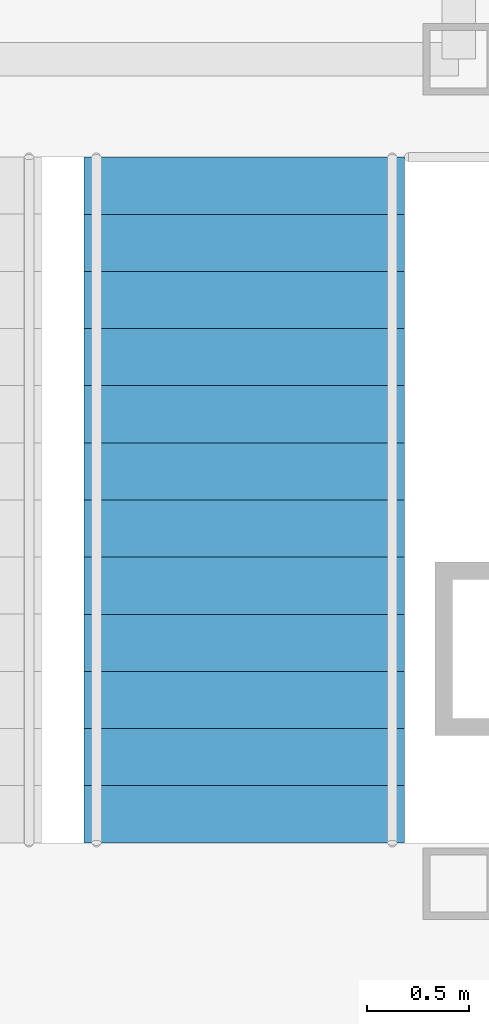
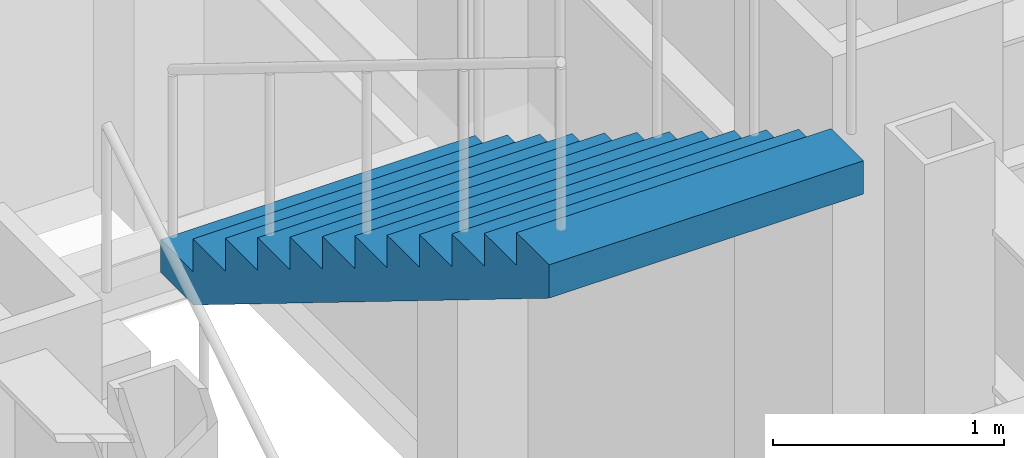
# One storey, part 13 of 16: 1 stair flight, 1 element without a shape of its own.
"""IFC4 building model written with IfcOpenShell, lengths in metres."""

from ifc_helpers import new_model, si_unit, direction, frame, origin, place, context, subcontext, project, spatial, faceted_brep, material, type_object, element, aggregate, save


model = new_model("IFC4")

# Units and contexts
model_context = context("Model", 3, precision=1e-05, world=origin(), true_north=direction((0.0, 1.0)))
body_context = subcontext(model_context, "Body", "Model", "MODEL_VIEW")
ifc_project = project(units=[si_unit("LENGTHUNIT", "METRE"), si_unit("AREAUNIT", "SQUARE_METRE"), si_unit("VOLUMEUNIT", "CUBIC_METRE"), si_unit("PLANEANGLEUNIT", "RADIAN"), si_unit("MASSUNIT", "GRAM", prefix="KILO")], contexts=[model_context])

# Site, building, storey
site_placement = place(None, origin())
site = spatial("IfcSite", under=ifc_project, at=site_placement, CompositionType="ELEMENT")
building_placement = place(site_placement, origin())
building = spatial("IfcBuilding", under=site, at=building_placement, Name="Chuquiago Exchange Tower", CompositionType="ELEMENT")
storey_placement = place(building_placement, frame((0.0, 0.0, 55.800048828125)))
storey = spatial("IfcBuildingStorey", under=building, at=storey_placement, Name="L11", CompositionType="ELEMENT", Elevation=55.800048828125)

# Stair, stair flight
ifc_material_1 = material(Name="Concrete C30/37, precast", Category="concrete")
stair_type = type_object("IfcStairType", Name="ST2 half-turn stair 4500", PredefinedType="HALF_TURN_STAIR", material=ifc_material_1)
stair_placement = place(storey_placement, origin())
stair = element("IfcStair", 1, at=stair_placement, inside=storey, type_object=stair_type, Name="Stair ST2 L11", PredefinedType="HALF_TURN_STAIR")
ifc_material_2 = material(Name="Concrete C30/37, precast", Category="concrete")
stair_flight_type = type_object("IfcStairFlightType", Name="ST-F flight 1570 for 4500 storey", PredefinedType="STRAIGHT", material=ifc_material_2)
stair_flight_placement = place(storey_placement, frame((31.639892578125, 26.409912109375, 2.25), z_axis=(0.0, 0.0, 1.0), x_axis=(0.0, -1.0, 0.0)))
stair_flight = element("IfcStairFlight", 2, at=stair_flight_placement, type_object=stair_flight_type, Name="ST2 flight 2", NumberOfRisers=13, NumberOfTreads=12, PredefinedType="STRAIGHT", RiserHeight=0.173076923, TreadLength=0.28, context=body_context, shape_type="Brep", body=[
    faceted_brep([(0.0, 0.78515625, 0.0), (0.0, 0.78515625, 0.173095703125), (0.280029296875, 0.78515625, 0.173095703125), (0.280029296875, 0.78515625, 0.34619140625), (0.56005859375, 0.78515625, 0.34619140625), (0.56005859375, 0.78515625, 0.519287109375), (0.840087890625, 0.78515625, 0.519287109375), (0.840087890625, 0.78515625, 0.6923828125), (1.1201171875, 0.78515625, 0.6923828125), (1.1201171875, 0.78515625, 0.865478515625), (1.39990234375, 0.78515625, 0.865478515625), (1.39990234375, 0.78515625, 1.03857421875), (1.679931640625, 0.78515625, 1.03857421875), (1.679931640625, 0.78515625, 1.21142578125), (1.9599609375, 0.78515625, 1.21142578125), (1.9599609375, 0.78515625, 1.384521484375), (2.239990234375, 0.78515625, 1.384521484375), (2.239990234375, 0.78515625, 1.5576171875), (2.52001953125, 0.78515625, 1.5576171875), (2.52001953125, 0.78515625, 1.730712890625), (2.800048828125, 0.78515625, 1.730712890625), (2.800048828125, 0.78515625, 1.90380859375), (3.080078125, 0.78515625, 1.90380859375), (3.080078125, 0.78515625, 2.076904296875), (3.360107421875, 0.78515625, 2.076904296875), (3.360107421875, 0.78515625, 1.900634765625), (0.28515625, 0.78515625, 0.0), (0.28515625, -0.78515625, 0.0), (3.360107421875, -0.78515625, 1.900634765625), (3.360107421875, -0.78515625, 2.076904296875), (3.080078125, -0.78515625, 2.076904296875), (3.080078125, -0.78515625, 1.90380859375), (2.800048828125, -0.78515625, 1.90380859375), (2.800048828125, -0.78515625, 1.730712890625), (2.52001953125, -0.78515625, 1.730712890625), (2.52001953125, -0.78515625, 1.5576171875), (2.239990234375, -0.78515625, 1.5576171875), (2.239990234375, -0.78515625, 1.384521484375), (1.9599609375, -0.78515625, 1.384521484375), (1.9599609375, -0.78515625, 1.21142578125), (1.679931640625, -0.78515625, 1.21142578125), (1.679931640625, -0.78515625, 1.03857421875), (1.39990234375, -0.78515625, 1.03857421875), (1.39990234375, -0.78515625, 0.865478515625), (1.1201171875, -0.78515625, 0.865478515625), (1.1201171875, -0.78515625, 0.6923828125), (0.840087890625, -0.78515625, 0.6923828125), (0.840087890625, -0.78515625, 0.519287109375), (0.56005859375, -0.78515625, 0.519287109375), (0.56005859375, -0.78515625, 0.34619140625), (0.280029296875, -0.78515625, 0.34619140625), (0.280029296875, -0.78515625, 0.173095703125), (0.0, -0.78515625, 0.173095703125), (0.0, -0.78515625, 0.0), (0.0, 0.392578125, 0.0), (0.0, 0.392578125, 0.173095703125), (0.0, 0.0, 0.0), (0.0, 0.0, 0.173095703125), (0.0, -0.392578125, 0.0), (0.0, -0.392578125, 0.173095703125), (0.280029296875, 0.392578125, 0.173095703125), (0.280029296875, 0.0, 0.173095703125), (0.280029296875, -0.392578125, 0.173095703125), (0.280029296875, 0.392578125, 0.34619140625), (0.280029296875, 0.0, 0.34619140625), (0.280029296875, -0.392578125, 0.34619140625), (0.56005859375, 0.392578125, 0.34619140625), (0.56005859375, 0.0, 0.34619140625), (0.56005859375, -0.392578125, 0.34619140625), (0.56005859375, 0.392578125, 0.519287109375), (0.56005859375, 0.0, 0.519287109375), (0.56005859375, -0.392578125, 0.519287109375), (0.840087890625, 0.392578125, 0.519287109375), (0.840087890625, 0.0, 0.519287109375), (0.840087890625, -0.392578125, 0.519287109375), (0.840087890625, 0.392578125, 0.6923828125), (0.840087890625, 0.0, 0.6923828125), (0.840087890625, -0.392578125, 0.6923828125), (1.1201171875, 0.392578125, 0.6923828125), (1.1201171875, 0.0, 0.6923828125), (1.1201171875, -0.392578125, 0.6923828125), (1.1201171875, 0.392578125, 0.865478515625), (1.1201171875, 0.0, 0.865478515625), (1.1201171875, -0.392578125, 0.865478515625), (1.39990234375, 0.392578125, 0.865478515625), (1.39990234375, 0.0, 0.865478515625), (1.39990234375, -0.392578125, 0.865478515625), (1.39990234375, 0.392578125, 1.03857421875), (1.39990234375, 0.0, 1.03857421875), (1.39990234375, -0.392578125, 1.03857421875), (1.679931640625, 0.392578125, 1.03857421875), (1.679931640625, 0.0, 1.03857421875), (1.679931640625, -0.392578125, 1.03857421875), (1.679931640625, 0.392578125, 1.21142578125), (1.679931640625, 0.0, 1.21142578125), (1.679931640625, -0.392578125, 1.21142578125), (1.9599609375, 0.392578125, 1.21142578125), (1.9599609375, 0.0, 1.21142578125), (1.9599609375, -0.392578125, 1.21142578125), (1.9599609375, 0.392578125, 1.384521484375), (1.9599609375, 0.0, 1.384521484375), (1.9599609375, -0.392578125, 1.384521484375), (2.239990234375, 0.392578125, 1.384521484375), (2.239990234375, 0.0, 1.384521484375), (2.239990234375, -0.392578125, 1.384521484375), (2.239990234375, 0.392578125, 1.5576171875), (2.239990234375, 0.0, 1.5576171875), (2.239990234375, -0.392578125, 1.5576171875), (2.52001953125, 0.392578125, 1.5576171875), (2.52001953125, 0.0, 1.5576171875), (2.52001953125, -0.392578125, 1.5576171875), (2.52001953125, 0.392578125, 1.730712890625), (2.52001953125, 0.0, 1.730712890625), (2.52001953125, -0.392578125, 1.730712890625), (2.800048828125, 0.392578125, 1.730712890625), (2.800048828125, 0.0, 1.730712890625), (2.800048828125, -0.392578125, 1.730712890625), (2.800048828125, 0.392578125, 1.90380859375), (2.800048828125, 0.0, 1.90380859375), (2.800048828125, -0.392578125, 1.90380859375), (3.080078125, 0.392578125, 1.90380859375), (3.080078125, 0.0, 1.90380859375), (3.080078125, -0.392578125, 1.90380859375), (3.080078125, 0.392578125, 2.076904296875), (3.080078125, 0.0, 2.076904296875), (3.080078125, -0.392578125, 2.076904296875), (3.360107421875, 0.392578125, 2.076904296875), (3.360107421875, 0.0, 2.076904296875), (3.360107421875, -0.392578125, 2.076904296875), (3.360107421875, 0.392578125, 1.900634765625), (3.360107421875, 0.0, 1.900634765625), (3.360107421875, -0.392578125, 1.900634765625), (0.28515625, 0.392578125, 0.0), (0.28515625, 0.0, 0.0), (0.28515625, -0.392578125, 0.0)], [[[0, 1, 2, 3, 4, 5, 6, 7, 8, 9, 10, 11, 12, 13, 14, 15, 16, 17, 18, 19, 20, 21, 22, 23, 24, 25, 26]], [[27, 28, 29, 30, 31, 32, 33, 34, 35, 36, 37, 38, 39, 40, 41, 42, 43, 44, 45, 46, 47, 48, 49, 50, 51, 52, 53]], [[1, 0, 54, 55]], [[55, 54, 56, 57]], [[57, 56, 58, 59]], [[59, 58, 53, 52]], [[2, 1, 55, 60]], [[60, 55, 57, 61]], [[61, 57, 59, 62]], [[62, 59, 52, 51]], [[3, 2, 60, 63]], [[63, 60, 61, 64]], [[64, 61, 62, 65]], [[65, 62, 51, 50]], [[4, 3, 63, 66]], [[66, 63, 64, 67]], [[67, 64, 65, 68]], [[68, 65, 50, 49]], [[5, 4, 66, 69]], [[69, 66, 67, 70]], [[70, 67, 68, 71]], [[71, 68, 49, 48]], [[6, 5, 69, 72]], [[72, 69, 70, 73]], [[73, 70, 71, 74]], [[74, 71, 48, 47]], [[7, 6, 72, 75]], [[75, 72, 73, 76]], [[76, 73, 74, 77]], [[77, 74, 47, 46]], [[8, 7, 75, 78]], [[78, 75, 76, 79]], [[79, 76, 77, 80]], [[80, 77, 46, 45]], [[9, 8, 78, 81]], [[81, 78, 79, 82]], [[82, 79, 80, 83]], [[83, 80, 45, 44]], [[10, 9, 81, 84]], [[84, 81, 82, 85]], [[85, 82, 83, 86]], [[86, 83, 44, 43]], [[11, 10, 84, 87]], [[87, 84, 85, 88]], [[88, 85, 86, 89]], [[89, 86, 43, 42]], [[12, 11, 87, 90]], [[90, 87, 88, 91]], [[91, 88, 89, 92]], [[92, 89, 42, 41]], [[13, 12, 90, 93]], [[93, 90, 91, 94]], [[94, 91, 92, 95]], [[95, 92, 41, 40]], [[14, 13, 93, 96]], [[96, 93, 94, 97]], [[97, 94, 95, 98]], [[98, 95, 40, 39]], [[15, 14, 96, 99]], [[99, 96, 97, 100]], [[100, 97, 98, 101]], [[101, 98, 39, 38]], [[16, 15, 99, 102]], [[102, 99, 100, 103]], [[103, 100, 101, 104]], [[104, 101, 38, 37]], [[17, 16, 102, 105]], [[105, 102, 103, 106]], [[106, 103, 104, 107]], [[107, 104, 37, 36]], [[18, 17, 105, 108]], [[108, 105, 106, 109]], [[109, 106, 107, 110]], [[110, 107, 36, 35]], [[19, 18, 108, 111]], [[111, 108, 109, 112]], [[112, 109, 110, 113]], [[113, 110, 35, 34]], [[20, 19, 111, 114]], [[114, 111, 112, 115]], [[115, 112, 113, 116]], [[116, 113, 34, 33]], [[21, 20, 114, 117]], [[117, 114, 115, 118]], [[118, 115, 116, 119]], [[119, 116, 33, 32]], [[22, 21, 117, 120]], [[120, 117, 118, 121]], [[121, 118, 119, 122]], [[122, 119, 32, 31]], [[23, 22, 120, 123]], [[123, 120, 121, 124]], [[124, 121, 122, 125]], [[125, 122, 31, 30]], [[24, 23, 123, 126]], [[126, 123, 124, 127]], [[127, 124, 125, 128]], [[128, 125, 30, 29]], [[25, 24, 126, 129]], [[129, 126, 127, 130]], [[130, 127, 128, 131]], [[131, 128, 29, 28]], [[26, 25, 129, 132]], [[132, 129, 130, 133]], [[133, 130, 131, 134]], [[134, 131, 28, 27]], [[0, 26, 132, 54]], [[54, 132, 133, 56]], [[56, 133, 134, 58]], [[58, 134, 27, 53]]]),
])
aggregate(stair, [stair_flight])

save(model, "model.ifc")
